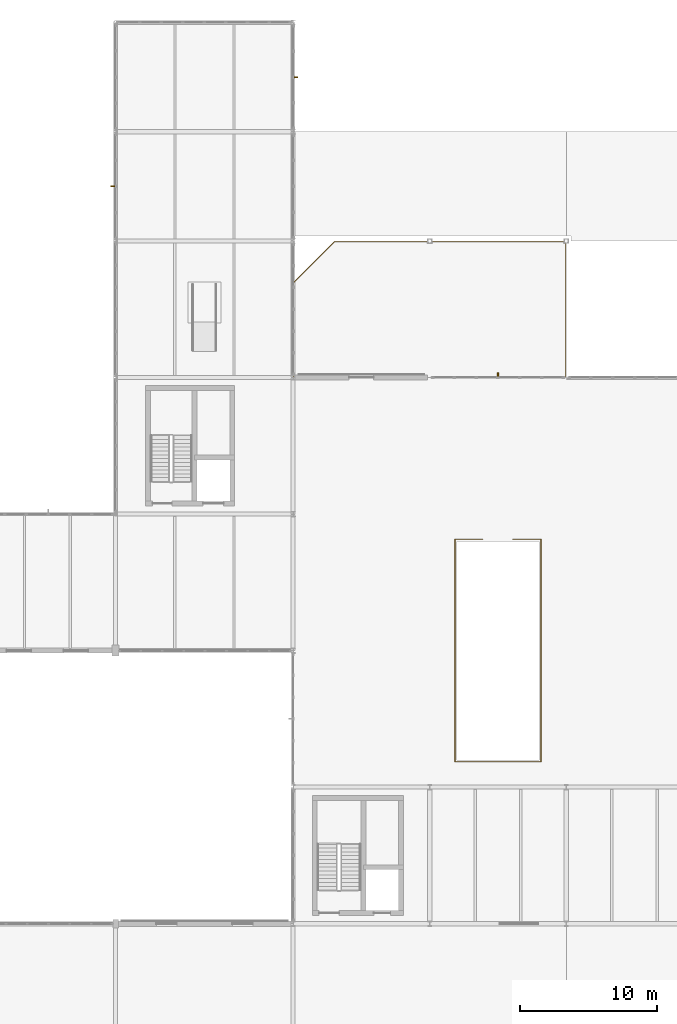
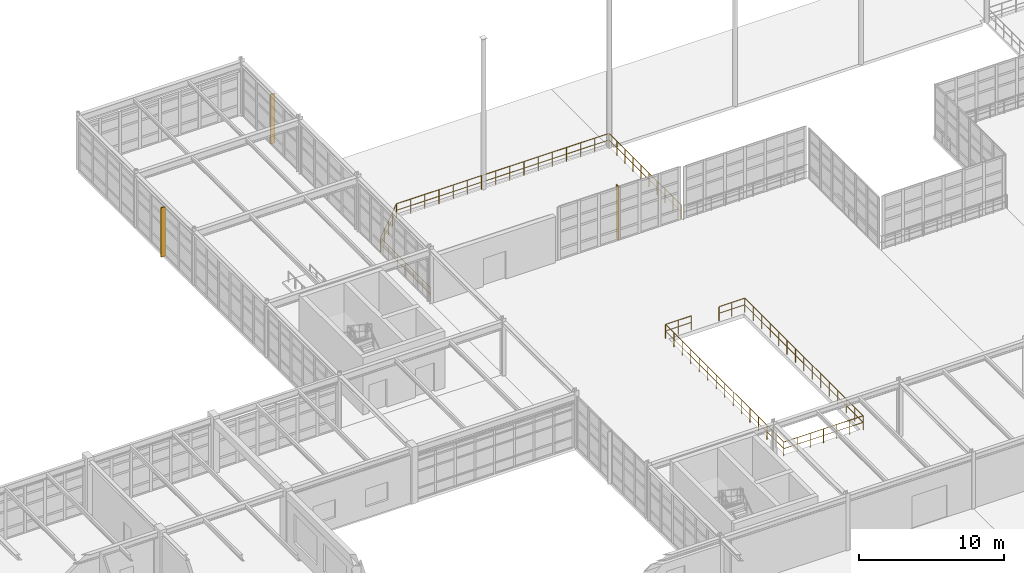
# One storey, part 132 of 139: 3 shading devices, 2 railings.
"""IFC4 building model written with IfcOpenShell, lengths in metres."""

from ifc_helpers import new_model, si_unit, direction, frame, origin, origin_2d, place, context, subcontext, project, spatial, rectangle, circle, extrude, material, type_object, element, save


model = new_model("IFC4")

# Units and contexts
model_context = context("Model", 3, precision=1e-05, world=origin(), true_north=direction((0.0, 1.0)))
body_context = subcontext(model_context, "Body", "Model", "MODEL_VIEW")
ifc_project = project(units=[si_unit("LENGTHUNIT", "METRE"), si_unit("AREAUNIT", "SQUARE_METRE"), si_unit("VOLUMEUNIT", "CUBIC_METRE"), si_unit("PLANEANGLEUNIT", "RADIAN"), si_unit("MASSUNIT", "GRAM", prefix="KILO"), si_unit("THERMODYNAMICTEMPERATUREUNIT", "KELVIN"), si_unit("POWERUNIT", "WATT")], contexts=[model_context])

# Site, building, storey
site_placement = place(None, origin())
site = spatial("IfcSite", under=ifc_project, at=site_placement, CompositionType="ELEMENT")
building_placement = place(site_placement, origin())
building = spatial("IfcBuilding", under=site, at=building_placement, Name="Korenveer Ferry Terminal", CompositionType="ELEMENT")
storey_placement = place(building_placement, frame((0.0, 0.0, 5.39990234375)))
storey = spatial("IfcBuildingStorey", under=building, at=storey_placement, Name="L01", CompositionType="ELEMENT", Elevation=5.39990234375)

# Railings
ifc_material_1 = material(Name="Marine stainless and bronze balustrade", Category="aluminium")
railing_type = type_object("IfcRailingType", Name="ENV-RL-BAL120", PredefinedType="BALUSTRADE", material=ifc_material_1)
railing_1_placement = place(storey_placement, frame((72.949951171875, 90.050048828125, 0.0)))
element("IfcRailing", 1, at=railing_1_placement, inside=storey, type_object=railing_type, Name="Outdoor terrace balustrade 3", PredefinedType="BALUSTRADE", context=body_context, shape_type="SweptSolid", body=[
    extrude(circle(Radius=0.02392578125, at=origin_2d()), frame((0.0, 0.0, 1.17578125), z_axis=(0.0, 1.0, 0.0), x_axis=(-1.0, 0.0, 0.0)), (0.0, 0.0, 1.0), 9.89990234375),
    extrude(circle(Radius=0.01806640625, at=origin_2d()), frame((0.0, 0.0, 0.6240234375), z_axis=(0.0, 1.0, 0.0), x_axis=(-1.0, 0.0, 0.0)), (0.0, 0.0, 1.0), 9.89990234375),
    extrude(circle(Radius=0.02392578125, at=origin_2d()), frame((0.0, 9.89990234375, 1.17578125), z_axis=(-1.0, 0.0, 0.0), x_axis=(0.0, -1.0, 0.0)), (0.0, 0.0, 1.0), 16.89990234375),
    extrude(circle(Radius=0.01806640625, at=origin_2d()), frame((0.0, 9.89990234375, 0.6240234375), z_axis=(-1.0, 0.0, 0.0), x_axis=(0.0, -1.0, 0.0)), (0.0, 0.0, 1.0), 16.89990234375),
    extrude(circle(Radius=0.02392578125, at=origin_2d()), frame((-16.89990234375, 9.89990234375, 1.17578125), z_axis=(-0.707106781187, -0.707106781187, 0.0), x_axis=(0.707106781187, -0.707106781187, 0.0)), (0.0, 0.0, 1.0), 4.24267578125),
    extrude(circle(Radius=0.01806640625, at=origin_2d()), frame((-16.89990234375, 9.89990234375, 0.6240234375), z_axis=(-0.707106781187, -0.707106781187, 0.0), x_axis=(0.707106781187, -0.707106781187, 0.0)), (0.0, 0.0, 1.0), 4.24267578125),
    extrude(circle(Radius=0.02392578125, at=origin_2d()), frame((-19.89990234375, 6.89990234375, 1.17578125), z_axis=(0.0, -1.0, 0.0), x_axis=(1.0, 0.0, 0.0)), (0.0, 0.0, 1.0), 6.89990234375),
    extrude(circle(Radius=0.01806640625, at=origin_2d()), frame((-19.89990234375, 6.89990234375, 0.6240234375), z_axis=(0.0, -1.0, 0.0), x_axis=(1.0, 0.0, 0.0)), (0.0, 0.0, 1.0), 6.89990234375),
    extrude(circle(Radius=0.02099609375, at=origin_2d()), origin(), (0.0, 0.0, 1.0), 1.15185546875),
    extrude(circle(Radius=0.02099609375, at=origin_2d()), frame((0.0, 1.10009765625, 0.0)), (0.0, 0.0, 1.0), 1.15185546875),
    extrude(circle(Radius=0.02099609375, at=origin_2d()), frame((0.0, 2.199951171875, 0.0)), (0.0, 0.0, 1.0), 1.15185546875),
    extrude(circle(Radius=0.02099609375, at=origin_2d()), frame((0.0, 3.300048828125, 0.0)), (0.0, 0.0, 1.0), 1.15185546875),
    extrude(circle(Radius=0.02099609375, at=origin_2d()), frame((0.0, 4.39990234375, 0.0)), (0.0, 0.0, 1.0), 1.15185546875),
    extrude(circle(Radius=0.02099609375, at=origin_2d()), frame((0.0, 5.5, 0.0)), (0.0, 0.0, 1.0), 1.15185546875),
    extrude(circle(Radius=0.02099609375, at=origin_2d()), frame((0.0, 6.599853515625, 0.0)), (0.0, 0.0, 1.0), 1.15185546875),
    extrude(circle(Radius=0.02099609375, at=origin_2d()), frame((0.0, 7.699951171875, 0.0)), (0.0, 0.0, 1.0), 1.15185546875),
    extrude(circle(Radius=0.02099609375, at=origin_2d()), frame((0.0, 8.7998046875, 0.0)), (0.0, 0.0, 1.0), 1.15185546875),
    extrude(circle(Radius=0.02099609375, at=origin_2d()), frame((0.0, 9.89990234375, 0.0)), (0.0, 0.0, 1.0), 1.15185546875),
    extrude(circle(Radius=0.02099609375, at=origin_2d()), frame((-1.126708984375, 9.89990234375, 0.0)), (0.0, 0.0, 1.0), 1.15185546875),
    extrude(circle(Radius=0.02099609375, at=origin_2d()), frame((-2.25341796875, 9.89990234375, 0.0)), (0.0, 0.0, 1.0), 1.15185546875),
    extrude(circle(Radius=0.02099609375, at=origin_2d()), frame((-3.3798828125, 9.89990234375, 0.0)), (0.0, 0.0, 1.0), 1.15185546875),
    extrude(circle(Radius=0.02099609375, at=origin_2d()), frame((-4.506591796875, 9.89990234375, 0.0)), (0.0, 0.0, 1.0), 1.15185546875),
    extrude(circle(Radius=0.02099609375, at=origin_2d()), frame((-5.63330078125, 9.89990234375, 0.0)), (0.0, 0.0, 1.0), 1.15185546875),
    extrude(circle(Radius=0.02099609375, at=origin_2d()), frame((-6.760009765625, 9.89990234375, 0.0)), (0.0, 0.0, 1.0), 1.15185546875),
    extrude(circle(Radius=0.02099609375, at=origin_2d()), frame((-7.88671875, 9.89990234375, 0.0)), (0.0, 0.0, 1.0), 1.15185546875),
    extrude(circle(Radius=0.02099609375, at=origin_2d()), frame((-9.01318359375, 9.89990234375, 0.0)), (0.0, 0.0, 1.0), 1.15185546875),
    extrude(circle(Radius=0.02099609375, at=origin_2d()), frame((-10.139892578125, 9.89990234375, 0.0)), (0.0, 0.0, 1.0), 1.15185546875),
    extrude(circle(Radius=0.02099609375, at=origin_2d()), frame((-11.2666015625, 9.89990234375, 0.0)), (0.0, 0.0, 1.0), 1.15185546875),
    extrude(circle(Radius=0.02099609375, at=origin_2d()), frame((-12.393310546875, 9.89990234375, 0.0)), (0.0, 0.0, 1.0), 1.15185546875),
    extrude(circle(Radius=0.02099609375, at=origin_2d()), frame((-13.52001953125, 9.89990234375, 0.0)), (0.0, 0.0, 1.0), 1.15185546875),
    extrude(circle(Radius=0.02099609375, at=origin_2d()), frame((-14.646484375, 9.89990234375, 0.0)), (0.0, 0.0, 1.0), 1.15185546875),
    extrude(circle(Radius=0.02099609375, at=origin_2d()), frame((-15.773193359375, 9.89990234375, 0.0)), (0.0, 0.0, 1.0), 1.15185546875),
    extrude(circle(Radius=0.02099609375, at=origin_2d()), frame((-16.89990234375, 9.89990234375, 0.0)), (0.0, 0.0, 1.0), 1.15185546875),
    extrude(circle(Radius=0.02099609375, at=origin_2d()), frame((-17.64990234375, 9.14990234375, 0.0)), (0.0, 0.0, 1.0), 1.15185546875),
    extrude(circle(Radius=0.02099609375, at=origin_2d()), frame((-18.39990234375, 8.39990234375, 0.0)), (0.0, 0.0, 1.0), 1.15185546875),
    extrude(circle(Radius=0.02099609375, at=origin_2d()), frame((-19.14990234375, 7.64990234375, 0.0)), (0.0, 0.0, 1.0), 1.15185546875),
    extrude(circle(Radius=0.02099609375, at=origin_2d()), frame((-19.89990234375, 6.89990234375, 0.0)), (0.0, 0.0, 1.0), 1.15185546875),
    extrude(circle(Radius=0.02099609375, at=origin_2d()), frame((-19.89990234375, 5.75, 0.0)), (0.0, 0.0, 1.0), 1.15185546875),
    extrude(circle(Radius=0.02099609375, at=origin_2d()), frame((-19.89990234375, 4.599853515625, 0.0)), (0.0, 0.0, 1.0), 1.15185546875),
    extrude(circle(Radius=0.02099609375, at=origin_2d()), frame((-19.89990234375, 3.449951171875, 0.0)), (0.0, 0.0, 1.0), 1.15185546875),
    extrude(circle(Radius=0.02099609375, at=origin_2d()), frame((-19.89990234375, 2.300048828125, 0.0)), (0.0, 0.0, 1.0), 1.15185546875),
    extrude(circle(Radius=0.02099609375, at=origin_2d()), frame((-19.89990234375, 1.14990234375, 0.0)), (0.0, 0.0, 1.0), 1.15185546875),
    extrude(circle(Radius=0.02099609375, at=origin_2d()), frame((-19.89990234375, 0.0, 0.0)), (0.0, 0.0, 1.0), 1.15185546875),
])
railing_2_placement = place(storey_placement, frame((66.89990234375, 78.14990234375, 0.0)))
element("IfcRailing", 2, at=railing_2_placement, inside=storey, type_object=railing_type, Name="Atrium and gallery balustrade 9", PredefinedType="BALUSTRADE", context=body_context, shape_type="SweptSolid", body=[
    extrude(circle(Radius=0.02392578125, at=origin_2d()), frame((0.0, 0.0, 1.17578125), z_axis=(-1.0, 0.0, 0.0), x_axis=(0.0, -1.0, 0.0)), (0.0, 0.0, 1.0), 2.0498046875),
    extrude(circle(Radius=0.01806640625, at=origin_2d()), frame((0.0, 0.0, 0.6240234375), z_axis=(-1.0, 0.0, 0.0), x_axis=(0.0, -1.0, 0.0)), (0.0, 0.0, 1.0), 2.0498046875),
    extrude(circle(Radius=0.02392578125, at=origin_2d()), frame((-2.0498046875, 0.0, 1.17578125), z_axis=(0.0, -1.0, 0.0), x_axis=(1.0, 0.0, 0.0)), (0.0, 0.0, 1.0), 16.2998046875),
    extrude(circle(Radius=0.01806640625, at=origin_2d()), frame((-2.0498046875, 0.0, 0.6240234375), z_axis=(0.0, -1.0, 0.0), x_axis=(1.0, 0.0, 0.0)), (0.0, 0.0, 1.0), 16.2998046875),
    extrude(circle(Radius=0.02392578125, at=origin_2d()), frame((-2.0498046875, -16.2998046875, 1.17578125), z_axis=(1.0, 0.0, 0.0), x_axis=(0.0, 1.0, 0.0)), (0.0, 0.0, 1.0), 6.2998046875),
    extrude(circle(Radius=0.01806640625, at=origin_2d()), frame((-2.0498046875, -16.2998046875, 0.6240234375), z_axis=(1.0, 0.0, 0.0), x_axis=(0.0, 1.0, 0.0)), (0.0, 0.0, 1.0), 6.2998046875),
    extrude(circle(Radius=0.02392578125, at=origin_2d()), frame((4.25, -16.2998046875, 1.17578125), z_axis=(0.0, 1.0, 0.0), x_axis=(-1.0, 0.0, 0.0)), (0.0, 0.0, 1.0), 16.2998046875),
    extrude(circle(Radius=0.01806640625, at=origin_2d()), frame((4.25, -16.2998046875, 0.6240234375), z_axis=(0.0, 1.0, 0.0), x_axis=(-1.0, 0.0, 0.0)), (0.0, 0.0, 1.0), 16.2998046875),
    extrude(circle(Radius=0.02392578125, at=origin_2d()), frame((4.25, 0.0, 1.17578125), z_axis=(-1.0, 0.0, 0.0), x_axis=(0.0, -1.0, 0.0)), (0.0, 0.0, 1.0), 2.0498046875),
    extrude(circle(Radius=0.01806640625, at=origin_2d()), frame((4.25, 0.0, 0.6240234375), z_axis=(-1.0, 0.0, 0.0), x_axis=(0.0, -1.0, 0.0)), (0.0, 0.0, 1.0), 2.0498046875),
    extrude(circle(Radius=0.02099609375, at=origin_2d()), origin(), (0.0, 0.0, 1.0), 1.15185546875),
    extrude(circle(Radius=0.02099609375, at=origin_2d()), frame((-1.02490234375, 0.0, 0.0)), (0.0, 0.0, 1.0), 1.15185546875),
    extrude(circle(Radius=0.02099609375, at=origin_2d()), frame((-2.0498046875, 0.0, 0.0)), (0.0, 0.0, 1.0), 1.15185546875),
    extrude(circle(Radius=0.02099609375, at=origin_2d()), frame((-2.0498046875, -1.164306640625, 0.0)), (0.0, 0.0, 1.0), 1.15185546875),
    extrude(circle(Radius=0.02099609375, at=origin_2d()), frame((-2.0498046875, -2.32861328125, 0.0)), (0.0, 0.0, 1.0), 1.15185546875),
    extrude(circle(Radius=0.02099609375, at=origin_2d()), frame((-2.0498046875, -3.492919921875, 0.0)), (0.0, 0.0, 1.0), 1.15185546875),
    extrude(circle(Radius=0.02099609375, at=origin_2d()), frame((-2.0498046875, -4.656982421875, 0.0)), (0.0, 0.0, 1.0), 1.15185546875),
    extrude(circle(Radius=0.02099609375, at=origin_2d()), frame((-2.0498046875, -5.8212890625, 0.0)), (0.0, 0.0, 1.0), 1.15185546875),
    extrude(circle(Radius=0.02099609375, at=origin_2d()), frame((-2.0498046875, -6.985595703125, 0.0)), (0.0, 0.0, 1.0), 1.15185546875),
    extrude(circle(Radius=0.02099609375, at=origin_2d()), frame((-2.0498046875, -8.14990234375, 0.0)), (0.0, 0.0, 1.0), 1.15185546875),
    extrude(circle(Radius=0.02099609375, at=origin_2d()), frame((-2.0498046875, -9.314208984375, 0.0)), (0.0, 0.0, 1.0), 1.15185546875),
    extrude(circle(Radius=0.02099609375, at=origin_2d()), frame((-2.0498046875, -10.478515625, 0.0)), (0.0, 0.0, 1.0), 1.15185546875),
    extrude(circle(Radius=0.02099609375, at=origin_2d()), frame((-2.0498046875, -11.642822265625, 0.0)), (0.0, 0.0, 1.0), 1.15185546875),
    extrude(circle(Radius=0.02099609375, at=origin_2d()), frame((-2.0498046875, -12.806884765625, 0.0)), (0.0, 0.0, 1.0), 1.15185546875),
    extrude(circle(Radius=0.02099609375, at=origin_2d()), frame((-2.0498046875, -13.97119140625, 0.0)), (0.0, 0.0, 1.0), 1.15185546875),
    extrude(circle(Radius=0.02099609375, at=origin_2d()), frame((-2.0498046875, -15.135498046875, 0.0)), (0.0, 0.0, 1.0), 1.15185546875),
    extrude(circle(Radius=0.02099609375, at=origin_2d()), frame((-2.0498046875, -16.2998046875, 0.0)), (0.0, 0.0, 1.0), 1.15185546875),
    extrude(circle(Radius=0.02099609375, at=origin_2d()), frame((-0.999755859375, -16.2998046875, 0.0)), (0.0, 0.0, 1.0), 1.15185546875),
    extrude(circle(Radius=0.02099609375, at=origin_2d()), frame((0.050048828125, -16.2998046875, 0.0)), (0.0, 0.0, 1.0), 1.15185546875),
    extrude(circle(Radius=0.02099609375, at=origin_2d()), frame((1.10009765625, -16.2998046875, 0.0)), (0.0, 0.0, 1.0), 1.15185546875),
    extrude(circle(Radius=0.02099609375, at=origin_2d()), frame((2.150146484375, -16.2998046875, 0.0)), (0.0, 0.0, 1.0), 1.15185546875),
    extrude(circle(Radius=0.02099609375, at=origin_2d()), frame((3.199951171875, -16.2998046875, 0.0)), (0.0, 0.0, 1.0), 1.15185546875),
    extrude(circle(Radius=0.02099609375, at=origin_2d()), frame((4.25, -16.2998046875, 0.0)), (0.0, 0.0, 1.0), 1.15185546875),
    extrude(circle(Radius=0.02099609375, at=origin_2d()), frame((4.25, -15.135498046875, 0.0)), (0.0, 0.0, 1.0), 1.15185546875),
    extrude(circle(Radius=0.02099609375, at=origin_2d()), frame((4.25, -13.97119140625, 0.0)), (0.0, 0.0, 1.0), 1.15185546875),
    extrude(circle(Radius=0.02099609375, at=origin_2d()), frame((4.25, -12.806884765625, 0.0)), (0.0, 0.0, 1.0), 1.15185546875),
    extrude(circle(Radius=0.02099609375, at=origin_2d()), frame((4.25, -11.642822265625, 0.0)), (0.0, 0.0, 1.0), 1.15185546875),
    extrude(circle(Radius=0.02099609375, at=origin_2d()), frame((4.25, -10.478515625, 0.0)), (0.0, 0.0, 1.0), 1.15185546875),
    extrude(circle(Radius=0.02099609375, at=origin_2d()), frame((4.25, -9.314208984375, 0.0)), (0.0, 0.0, 1.0), 1.15185546875),
    extrude(circle(Radius=0.02099609375, at=origin_2d()), frame((4.25, -8.14990234375, 0.0)), (0.0, 0.0, 1.0), 1.15185546875),
    extrude(circle(Radius=0.02099609375, at=origin_2d()), frame((4.25, -6.985595703125, 0.0)), (0.0, 0.0, 1.0), 1.15185546875),
    extrude(circle(Radius=0.02099609375, at=origin_2d()), frame((4.25, -5.8212890625, 0.0)), (0.0, 0.0, 1.0), 1.15185546875),
    extrude(circle(Radius=0.02099609375, at=origin_2d()), frame((4.25, -4.656982421875, 0.0)), (0.0, 0.0, 1.0), 1.15185546875),
    extrude(circle(Radius=0.02099609375, at=origin_2d()), frame((4.25, -3.492919921875, 0.0)), (0.0, 0.0, 1.0), 1.15185546875),
    extrude(circle(Radius=0.02099609375, at=origin_2d()), frame((4.25, -2.32861328125, 0.0)), (0.0, 0.0, 1.0), 1.15185546875),
    extrude(circle(Radius=0.02099609375, at=origin_2d()), frame((4.25, -1.164306640625, 0.0)), (0.0, 0.0, 1.0), 1.15185546875),
    extrude(circle(Radius=0.02099609375, at=origin_2d()), frame((4.25, 0.0, 0.0)), (0.0, 0.0, 1.0), 1.15185546875),
    extrude(circle(Radius=0.02099609375, at=origin_2d()), frame((3.22509765625, 0.0, 0.0)), (0.0, 0.0, 1.0), 1.15185546875),
    extrude(circle(Radius=0.02099609375, at=origin_2d()), frame((2.2001953125, 0.0, 0.0)), (0.0, 0.0, 1.0), 1.15185546875),
])

# Shading devices
ifc_material_2 = material(Name="Anodised bronze aluminium solar fin", Category="aluminium")
shading_device_type = type_object("IfcShadingDeviceType", Name="ENV-SHD-FIN", PredefinedType="JALOUSIE", material=ifc_material_2)
shading_device_placement = place(storey_placement, frame((68.0, 90.159912109375, -0.019775390625), z_axis=(0.0, 0.0, 1.0), x_axis=(0.0, 1.0, 0.0)))
element("IfcShadingDevice", 3, at=shading_device_placement, inside=storey, type_object=shading_device_type, Name="Gothic solar fin 24", PredefinedType="JALOUSIE", context=body_context, shape_type="SweptSolid", body=[
    extrude(rectangle(XDim=0.360107421875, YDim=0.080078125, at=origin_2d()), origin(), (0.0, 0.0, 1.0), 4.47998046875),
])
for number, where, z_axis, x_axis, name in (
    (4, (39.840087890625, 104.0, -0.019775390625), (0.0, 0.0, 1.0), (1.0, 0.0, 0.0), "Gothic solar fin 29"),
    (5, (53.159912109375, 112.0, -0.019775390625), (0.0, 0.0, 1.0), (1.0, 0.0, 0.0), "Gothic solar fin 31"),
):
    element("IfcShadingDevice", number, at=place(storey_placement, frame(where, z_axis=z_axis, x_axis=x_axis)), inside=storey, type_object=shading_device_type, Name=name, PredefinedType="JALOUSIE", context=body_context, shape_type="SweptSolid", body=[
        extrude(rectangle(XDim=0.360107421875, YDim=0.080078125, at=origin_2d()), origin(), (0.0, 0.0, 1.0), 4.14990234375),
    ])

save(model, "model.ifc")
